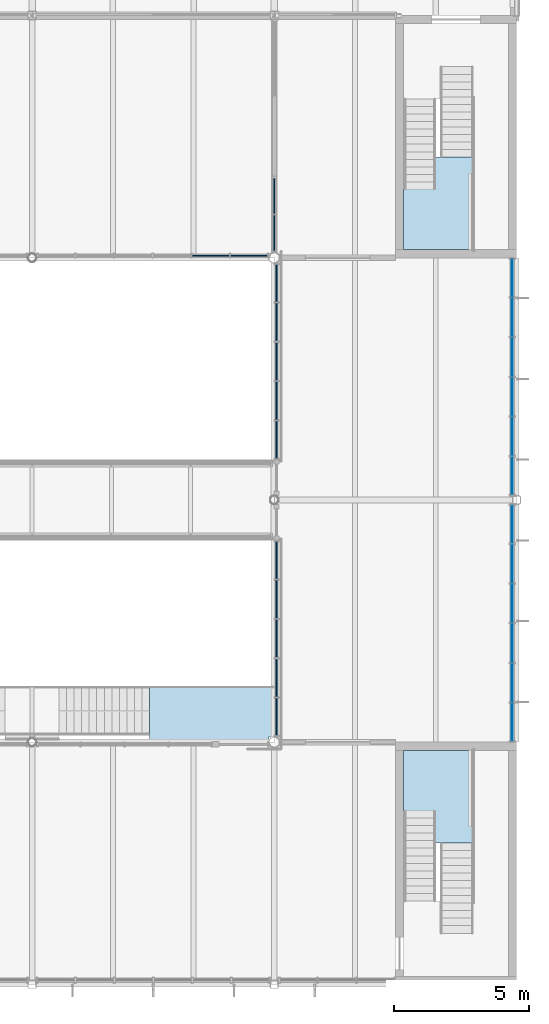
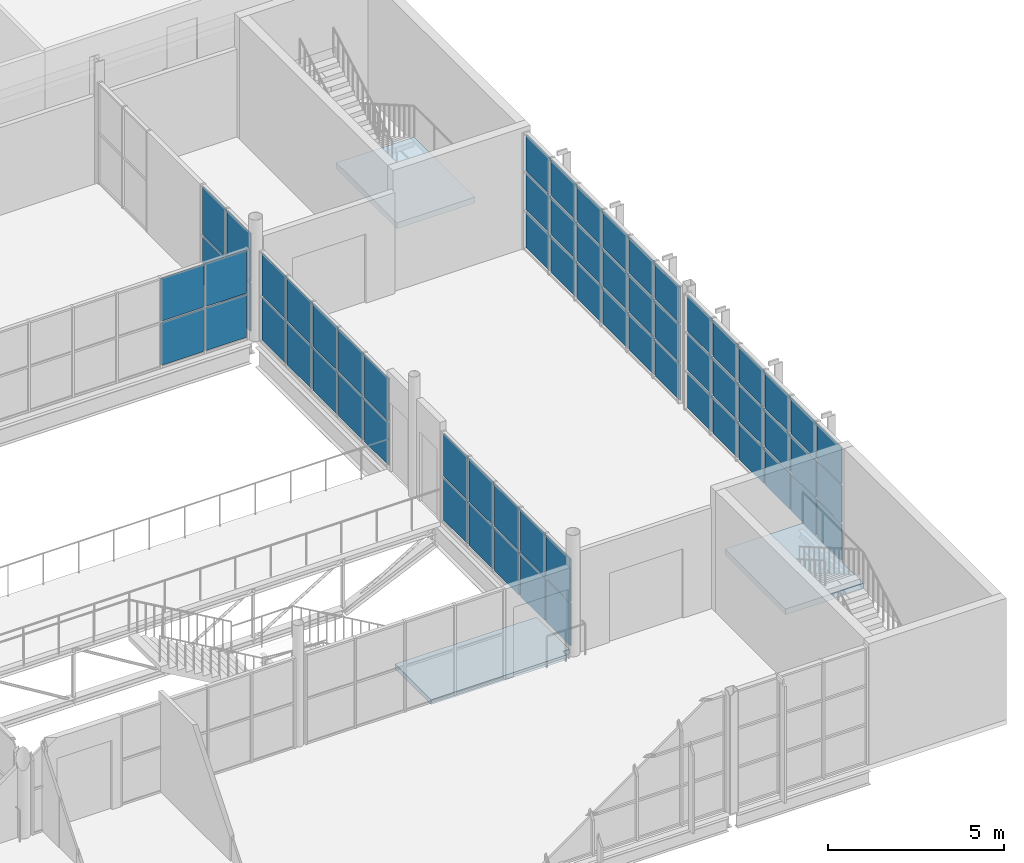
# One storey, part 39 of 61: 64 plates, 3 slabs, 8 elements without a shape of their own.
"""IFC4 building model written with IfcOpenShell, lengths in metres."""

from ifc_helpers import new_model, si_unit, direction, frame, origin, origin_2d, place, context, subcontext, project, spatial, polyline, rectangle, outline, extrude, material, layer, layer_set, type_object, element, aggregate, save


model = new_model("IFC4")

# Units and contexts
model_context = context("Model", 3, precision=1e-05, world=origin(), true_north=direction((0.0, 1.0)))
body_context = subcontext(model_context, "Body", "Model", "MODEL_VIEW")
ifc_project = project(units=[si_unit("LENGTHUNIT", "METRE"), si_unit("AREAUNIT", "SQUARE_METRE"), si_unit("VOLUMEUNIT", "CUBIC_METRE"), si_unit("PLANEANGLEUNIT", "RADIAN"), si_unit("MASSUNIT", "GRAM", prefix="KILO")], contexts=[model_context])

# Site, building, storey
site_placement = place(None, origin())
site = spatial("IfcSite", under=ifc_project, at=site_placement, CompositionType="ELEMENT")
building_placement = place(site_placement, origin())
building = spatial("IfcBuilding", under=site, at=building_placement, Name="Halyard Row Museum", CompositionType="ELEMENT")
storey_placement = place(building_placement, frame((0.0, 0.0, 9.199951171875)))
storey = spatial("IfcBuildingStorey", under=building, at=storey_placement, Name="L02", CompositionType="ELEMENT", Elevation=9.199951171875)

# Curtain wall, plates
ifc_material_1 = material(Name="Double glazed unit, low-emissivity", Category="glass")
ifc_layer_1 = layer(ifc_material_1, 0.219970703125)
ifc_layer_set_1 = layer_set([ifc_layer_1], Name="Double glazed unit, low-emissivity")
curtain_wall_type_1 = type_object("IfcCurtainWallType", Name="Curtain wall unitised 220 deep", PredefinedType="NOTDEFINED", material=ifc_layer_set_1)
curtain_wall_1_placement = place(storey_placement, origin())
curtain_wall_1 = element("IfcCurtainWall", 1, at=curtain_wall_1_placement, inside=storey, type_object=curtain_wall_type_1, Name="Curtain wall CW031", PredefinedType="NOTDEFINED")
ifc_material_2 = material(Name="Double glazed unit, low-emissivity", Category="glass")
ifc_layer_2 = layer(ifc_material_2, 0.035888671875)
ifc_layer_set_2 = layer_set([ifc_layer_2], Name="Double glazed unit, low-emissivity")
plate_type_1 = type_object("IfcPlateType", Name="Curtain wall glazed panel CP3 36", PredefinedType="CURTAIN_PANEL", material=ifc_layer_set_2)
plate_1_placement = place(storey_placement, frame((107.840087890625, 9.75244140625, 0.06005859375), z_axis=(0.0, 0.0, 1.0), x_axis=(0.0, 1.0, 0.0)))
plate_1 = element("IfcPlate", 2, at=plate_1_placement, type_object=plate_type_1, Name="CW031 panel 1.1", PredefinedType="CURTAIN_PANEL", context=body_context, shape_type="SweptSolid", body=[
    extrude(rectangle(XDim=1.385009765625, YDim=0.035888671875, at=origin_2d()), origin(), (0.0, 0.0, 1.0), 1.2548828125),
])
plate_2_placement = place(storey_placement, frame((107.840087890625, 9.75244140625, 1.375), z_axis=(0.0, 0.0, 1.0), x_axis=(0.0, 1.0, 0.0)))
plate_2 = element("IfcPlate", 3, at=plate_2_placement, type_object=plate_type_1, Name="CW031 panel 1.2", PredefinedType="CURTAIN_PANEL", context=body_context, shape_type="SweptSolid", body=[
    extrude(rectangle(XDim=1.385009765625, YDim=0.035888671875, at=origin_2d()), origin(), (0.0, 0.0, 1.0), 1.284912109375),
])
plate_3_placement = place(storey_placement, frame((107.840087890625, 9.75244140625, 2.72021484375), z_axis=(0.0, 0.0, 1.0), x_axis=(0.0, 1.0, 0.0)))
plate_3 = element("IfcPlate", 4, at=plate_3_placement, type_object=plate_type_1, Name="CW031 panel 1.3", PredefinedType="CURTAIN_PANEL", context=body_context, shape_type="SweptSolid", body=[
    extrude(rectangle(XDim=1.385009765625, YDim=0.035888671875, at=origin_2d()), origin(), (0.0, 0.0, 1.0), 1.2548828125),
])
plate_4_placement = place(storey_placement, frame((107.840087890625, 11.21240234375, 0.06005859375), z_axis=(0.0, 0.0, 1.0), x_axis=(0.0, 1.0, 0.0)))
plate_4 = element("IfcPlate", 5, at=plate_4_placement, type_object=plate_type_1, Name="CW031 panel 2.1", PredefinedType="CURTAIN_PANEL", context=body_context, shape_type="SweptSolid", body=[
    extrude(rectangle(XDim=1.4150390625, YDim=0.035888671875, at=origin_2d()), origin(), (0.0, 0.0, 1.0), 1.2548828125),
])
plate_5_placement = place(storey_placement, frame((107.840087890625, 11.21240234375, 1.375), z_axis=(0.0, 0.0, 1.0), x_axis=(0.0, 1.0, 0.0)))
plate_5 = element("IfcPlate", 6, at=plate_5_placement, type_object=plate_type_1, Name="CW031 panel 2.2", PredefinedType="CURTAIN_PANEL", context=body_context, shape_type="SweptSolid", body=[
    extrude(rectangle(XDim=1.4150390625, YDim=0.035888671875, at=origin_2d()), origin(), (0.0, 0.0, 1.0), 1.284912109375),
])
plate_6_placement = place(storey_placement, frame((107.840087890625, 11.21240234375, 2.72021484375), z_axis=(0.0, 0.0, 1.0), x_axis=(0.0, 1.0, 0.0)))
plate_6 = element("IfcPlate", 7, at=plate_6_placement, type_object=plate_type_1, Name="CW031 panel 2.3", PredefinedType="CURTAIN_PANEL", context=body_context, shape_type="SweptSolid", body=[
    extrude(rectangle(XDim=1.4150390625, YDim=0.035888671875, at=origin_2d()), origin(), (0.0, 0.0, 1.0), 1.2548828125),
])
plate_7_placement = place(storey_placement, frame((107.840087890625, 12.6875, 0.06005859375), z_axis=(0.0, 0.0, 1.0), x_axis=(0.0, 1.0, 0.0)))
plate_7 = element("IfcPlate", 8, at=plate_7_placement, type_object=plate_type_1, Name="CW031 panel 3.1", PredefinedType="CURTAIN_PANEL", context=body_context, shape_type="SweptSolid", body=[
    extrude(rectangle(XDim=1.4150390625, YDim=0.035888671875, at=origin_2d()), origin(), (0.0, 0.0, 1.0), 1.2548828125),
])
plate_8_placement = place(storey_placement, frame((107.840087890625, 12.6875, 1.375), z_axis=(0.0, 0.0, 1.0), x_axis=(0.0, 1.0, 0.0)))
plate_8 = element("IfcPlate", 9, at=plate_8_placement, type_object=plate_type_1, Name="CW031 panel 3.2", PredefinedType="CURTAIN_PANEL", context=body_context, shape_type="SweptSolid", body=[
    extrude(rectangle(XDim=1.4150390625, YDim=0.035888671875, at=origin_2d()), origin(), (0.0, 0.0, 1.0), 1.284912109375),
])
plate_9_placement = place(storey_placement, frame((107.840087890625, 12.6875, 2.72021484375), z_axis=(0.0, 0.0, 1.0), x_axis=(0.0, 1.0, 0.0)))
plate_9 = element("IfcPlate", 10, at=plate_9_placement, type_object=plate_type_1, Name="CW031 panel 3.3", PredefinedType="CURTAIN_PANEL", context=body_context, shape_type="SweptSolid", body=[
    extrude(rectangle(XDim=1.4150390625, YDim=0.035888671875, at=origin_2d()), origin(), (0.0, 0.0, 1.0), 1.2548828125),
])
plate_10_placement = place(storey_placement, frame((107.840087890625, 14.16259765625, 0.06005859375), z_axis=(0.0, 0.0, 1.0), x_axis=(0.0, 1.0, 0.0)))
plate_10 = element("IfcPlate", 11, at=plate_10_placement, type_object=plate_type_1, Name="CW031 panel 4.1", PredefinedType="CURTAIN_PANEL", context=body_context, shape_type="SweptSolid", body=[
    extrude(rectangle(XDim=1.4150390625, YDim=0.035888671875, at=origin_2d()), origin(), (0.0, 0.0, 1.0), 1.2548828125),
])
plate_11_placement = place(storey_placement, frame((107.840087890625, 14.16259765625, 1.375), z_axis=(0.0, 0.0, 1.0), x_axis=(0.0, 1.0, 0.0)))
plate_11 = element("IfcPlate", 12, at=plate_11_placement, type_object=plate_type_1, Name="CW031 panel 4.2", PredefinedType="CURTAIN_PANEL", context=body_context, shape_type="SweptSolid", body=[
    extrude(rectangle(XDim=1.4150390625, YDim=0.035888671875, at=origin_2d()), origin(), (0.0, 0.0, 1.0), 1.284912109375),
])
plate_12_placement = place(storey_placement, frame((107.840087890625, 14.16259765625, 2.72021484375), z_axis=(0.0, 0.0, 1.0), x_axis=(0.0, 1.0, 0.0)))
plate_12 = element("IfcPlate", 13, at=plate_12_placement, type_object=plate_type_1, Name="CW031 panel 4.3", PredefinedType="CURTAIN_PANEL", context=body_context, shape_type="SweptSolid", body=[
    extrude(rectangle(XDim=1.4150390625, YDim=0.035888671875, at=origin_2d()), origin(), (0.0, 0.0, 1.0), 1.2548828125),
])
plate_13_placement = place(storey_placement, frame((107.840087890625, 15.637451171875, 0.06005859375), z_axis=(0.0, 0.0, 1.0), x_axis=(0.0, 1.0, 0.0)))
plate_13 = element("IfcPlate", 14, at=plate_13_placement, type_object=plate_type_1, Name="CW031 panel 5.1", PredefinedType="CURTAIN_PANEL", context=body_context, shape_type="SweptSolid", body=[
    extrude(rectangle(XDim=1.4150390625, YDim=0.035888671875, at=origin_2d()), origin(), (0.0, 0.0, 1.0), 1.2548828125),
])
plate_14_placement = place(storey_placement, frame((107.840087890625, 15.637451171875, 1.375), z_axis=(0.0, 0.0, 1.0), x_axis=(0.0, 1.0, 0.0)))
plate_14 = element("IfcPlate", 15, at=plate_14_placement, type_object=plate_type_1, Name="CW031 panel 5.2", PredefinedType="CURTAIN_PANEL", context=body_context, shape_type="SweptSolid", body=[
    extrude(rectangle(XDim=1.4150390625, YDim=0.035888671875, at=origin_2d()), origin(), (0.0, 0.0, 1.0), 1.284912109375),
])
plate_15_placement = place(storey_placement, frame((107.840087890625, 15.637451171875, 2.72021484375), z_axis=(0.0, 0.0, 1.0), x_axis=(0.0, 1.0, 0.0)))
plate_15 = element("IfcPlate", 16, at=plate_15_placement, type_object=plate_type_1, Name="CW031 panel 5.3", PredefinedType="CURTAIN_PANEL", context=body_context, shape_type="SweptSolid", body=[
    extrude(rectangle(XDim=1.4150390625, YDim=0.035888671875, at=origin_2d()), origin(), (0.0, 0.0, 1.0), 1.2548828125),
])
plate_16_placement = place(storey_placement, frame((107.840087890625, 17.097412109375, 0.06005859375), z_axis=(0.0, 0.0, 1.0), x_axis=(0.0, 1.0, 0.0)))
plate_16 = element("IfcPlate", 17, at=plate_16_placement, type_object=plate_type_1, Name="CW031 panel 6.1", PredefinedType="CURTAIN_PANEL", context=body_context, shape_type="SweptSolid", body=[
    extrude(rectangle(XDim=1.385009765625, YDim=0.035888671875, at=origin_2d()), origin(), (0.0, 0.0, 1.0), 1.2548828125),
])
plate_17_placement = place(storey_placement, frame((107.840087890625, 17.097412109375, 1.375), z_axis=(0.0, 0.0, 1.0), x_axis=(0.0, 1.0, 0.0)))
plate_17 = element("IfcPlate", 18, at=plate_17_placement, type_object=plate_type_1, Name="CW031 panel 6.2", PredefinedType="CURTAIN_PANEL", context=body_context, shape_type="SweptSolid", body=[
    extrude(rectangle(XDim=1.385009765625, YDim=0.035888671875, at=origin_2d()), origin(), (0.0, 0.0, 1.0), 1.284912109375),
])
plate_18_placement = place(storey_placement, frame((107.840087890625, 17.097412109375, 2.72021484375), z_axis=(0.0, 0.0, 1.0), x_axis=(0.0, 1.0, 0.0)))
plate_18 = element("IfcPlate", 19, at=plate_18_placement, type_object=plate_type_1, Name="CW031 panel 6.3", PredefinedType="CURTAIN_PANEL", context=body_context, shape_type="SweptSolid", body=[
    extrude(rectangle(XDim=1.385009765625, YDim=0.035888671875, at=origin_2d()), origin(), (0.0, 0.0, 1.0), 1.2548828125),
])
aggregate(curtain_wall_1, [plate_1, plate_2, plate_3, plate_4, plate_5, plate_6, plate_7, plate_8, plate_9, plate_10, plate_11, plate_12, plate_13, plate_14, plate_15, plate_16, plate_17, plate_18])

curtain_wall_2_placement = place(storey_placement, origin())
curtain_wall_2 = element("IfcCurtainWall", 20, at=curtain_wall_2_placement, inside=storey, type_object=curtain_wall_type_1, Name="Curtain wall CW032", PredefinedType="NOTDEFINED")
plate_19_placement = place(storey_placement, frame((107.840087890625, 18.902587890625, 0.06005859375), z_axis=(0.0, 0.0, 1.0), x_axis=(0.0, 1.0, 0.0)))
plate_19 = element("IfcPlate", 21, at=plate_19_placement, type_object=plate_type_1, Name="CW032 panel 1.1", PredefinedType="CURTAIN_PANEL", context=body_context, shape_type="SweptSolid", body=[
    extrude(rectangle(XDim=1.385009765625, YDim=0.035888671875, at=origin_2d()), origin(), (0.0, 0.0, 1.0), 1.2548828125),
])
plate_20_placement = place(storey_placement, frame((107.840087890625, 18.902587890625, 1.375), z_axis=(0.0, 0.0, 1.0), x_axis=(0.0, 1.0, 0.0)))
plate_20 = element("IfcPlate", 22, at=plate_20_placement, type_object=plate_type_1, Name="CW032 panel 1.2", PredefinedType="CURTAIN_PANEL", context=body_context, shape_type="SweptSolid", body=[
    extrude(rectangle(XDim=1.385009765625, YDim=0.035888671875, at=origin_2d()), origin(), (0.0, 0.0, 1.0), 1.284912109375),
])
plate_21_placement = place(storey_placement, frame((107.840087890625, 18.902587890625, 2.72021484375), z_axis=(0.0, 0.0, 1.0), x_axis=(0.0, 1.0, 0.0)))
plate_21 = element("IfcPlate", 23, at=plate_21_placement, type_object=plate_type_1, Name="CW032 panel 1.3", PredefinedType="CURTAIN_PANEL", context=body_context, shape_type="SweptSolid", body=[
    extrude(rectangle(XDim=1.385009765625, YDim=0.035888671875, at=origin_2d()), origin(), (0.0, 0.0, 1.0), 1.2548828125),
])
plate_22_placement = place(storey_placement, frame((107.840087890625, 20.362548828125, 0.06005859375), z_axis=(0.0, 0.0, 1.0), x_axis=(0.0, 1.0, 0.0)))
plate_22 = element("IfcPlate", 24, at=plate_22_placement, type_object=plate_type_1, Name="CW032 panel 2.1", PredefinedType="CURTAIN_PANEL", context=body_context, shape_type="SweptSolid", body=[
    extrude(rectangle(XDim=1.4150390625, YDim=0.035888671875, at=origin_2d()), origin(), (0.0, 0.0, 1.0), 1.2548828125),
])
plate_23_placement = place(storey_placement, frame((107.840087890625, 20.362548828125, 1.375), z_axis=(0.0, 0.0, 1.0), x_axis=(0.0, 1.0, 0.0)))
plate_23 = element("IfcPlate", 25, at=plate_23_placement, type_object=plate_type_1, Name="CW032 panel 2.2", PredefinedType="CURTAIN_PANEL", context=body_context, shape_type="SweptSolid", body=[
    extrude(rectangle(XDim=1.4150390625, YDim=0.035888671875, at=origin_2d()), origin(), (0.0, 0.0, 1.0), 1.284912109375),
])
plate_24_placement = place(storey_placement, frame((107.840087890625, 20.362548828125, 2.72021484375), z_axis=(0.0, 0.0, 1.0), x_axis=(0.0, 1.0, 0.0)))
plate_24 = element("IfcPlate", 26, at=plate_24_placement, type_object=plate_type_1, Name="CW032 panel 2.3", PredefinedType="CURTAIN_PANEL", context=body_context, shape_type="SweptSolid", body=[
    extrude(rectangle(XDim=1.4150390625, YDim=0.035888671875, at=origin_2d()), origin(), (0.0, 0.0, 1.0), 1.2548828125),
])
plate_25_placement = place(storey_placement, frame((107.840087890625, 21.83740234375, 0.06005859375), z_axis=(0.0, 0.0, 1.0), x_axis=(0.0, 1.0, 0.0)))
plate_25 = element("IfcPlate", 27, at=plate_25_placement, type_object=plate_type_1, Name="CW032 panel 3.1", PredefinedType="CURTAIN_PANEL", context=body_context, shape_type="SweptSolid", body=[
    extrude(rectangle(XDim=1.4150390625, YDim=0.035888671875, at=origin_2d()), origin(), (0.0, 0.0, 1.0), 1.2548828125),
])
plate_26_placement = place(storey_placement, frame((107.840087890625, 21.83740234375, 1.375), z_axis=(0.0, 0.0, 1.0), x_axis=(0.0, 1.0, 0.0)))
plate_26 = element("IfcPlate", 28, at=plate_26_placement, type_object=plate_type_1, Name="CW032 panel 3.2", PredefinedType="CURTAIN_PANEL", context=body_context, shape_type="SweptSolid", body=[
    extrude(rectangle(XDim=1.4150390625, YDim=0.035888671875, at=origin_2d()), origin(), (0.0, 0.0, 1.0), 1.284912109375),
])
plate_27_placement = place(storey_placement, frame((107.840087890625, 21.83740234375, 2.72021484375), z_axis=(0.0, 0.0, 1.0), x_axis=(0.0, 1.0, 0.0)))
plate_27 = element("IfcPlate", 29, at=plate_27_placement, type_object=plate_type_1, Name="CW032 panel 3.3", PredefinedType="CURTAIN_PANEL", context=body_context, shape_type="SweptSolid", body=[
    extrude(rectangle(XDim=1.4150390625, YDim=0.035888671875, at=origin_2d()), origin(), (0.0, 0.0, 1.0), 1.2548828125),
])
plate_28_placement = place(storey_placement, frame((107.840087890625, 23.3125, 0.06005859375), z_axis=(0.0, 0.0, 1.0), x_axis=(0.0, 1.0, 0.0)))
plate_28 = element("IfcPlate", 30, at=plate_28_placement, type_object=plate_type_1, Name="CW032 panel 4.1", PredefinedType="CURTAIN_PANEL", context=body_context, shape_type="SweptSolid", body=[
    extrude(rectangle(XDim=1.4150390625, YDim=0.035888671875, at=origin_2d()), origin(), (0.0, 0.0, 1.0), 1.2548828125),
])
plate_29_placement = place(storey_placement, frame((107.840087890625, 23.3125, 1.375), z_axis=(0.0, 0.0, 1.0), x_axis=(0.0, 1.0, 0.0)))
plate_29 = element("IfcPlate", 31, at=plate_29_placement, type_object=plate_type_1, Name="CW032 panel 4.2", PredefinedType="CURTAIN_PANEL", context=body_context, shape_type="SweptSolid", body=[
    extrude(rectangle(XDim=1.4150390625, YDim=0.035888671875, at=origin_2d()), origin(), (0.0, 0.0, 1.0), 1.284912109375),
])
plate_30_placement = place(storey_placement, frame((107.840087890625, 23.3125, 2.72021484375), z_axis=(0.0, 0.0, 1.0), x_axis=(0.0, 1.0, 0.0)))
plate_30 = element("IfcPlate", 32, at=plate_30_placement, type_object=plate_type_1, Name="CW032 panel 4.3", PredefinedType="CURTAIN_PANEL", context=body_context, shape_type="SweptSolid", body=[
    extrude(rectangle(XDim=1.4150390625, YDim=0.035888671875, at=origin_2d()), origin(), (0.0, 0.0, 1.0), 1.2548828125),
])
plate_31_placement = place(storey_placement, frame((107.840087890625, 24.78759765625, 0.06005859375), z_axis=(0.0, 0.0, 1.0), x_axis=(0.0, 1.0, 0.0)))
plate_31 = element("IfcPlate", 33, at=plate_31_placement, type_object=plate_type_1, Name="CW032 panel 5.1", PredefinedType="CURTAIN_PANEL", context=body_context, shape_type="SweptSolid", body=[
    extrude(rectangle(XDim=1.4150390625, YDim=0.035888671875, at=origin_2d()), origin(), (0.0, 0.0, 1.0), 1.2548828125),
])
plate_32_placement = place(storey_placement, frame((107.840087890625, 24.78759765625, 1.375), z_axis=(0.0, 0.0, 1.0), x_axis=(0.0, 1.0, 0.0)))
plate_32 = element("IfcPlate", 34, at=plate_32_placement, type_object=plate_type_1, Name="CW032 panel 5.2", PredefinedType="CURTAIN_PANEL", context=body_context, shape_type="SweptSolid", body=[
    extrude(rectangle(XDim=1.4150390625, YDim=0.035888671875, at=origin_2d()), origin(), (0.0, 0.0, 1.0), 1.284912109375),
])
plate_33_placement = place(storey_placement, frame((107.840087890625, 24.78759765625, 2.72021484375), z_axis=(0.0, 0.0, 1.0), x_axis=(0.0, 1.0, 0.0)))
plate_33 = element("IfcPlate", 35, at=plate_33_placement, type_object=plate_type_1, Name="CW032 panel 5.3", PredefinedType="CURTAIN_PANEL", context=body_context, shape_type="SweptSolid", body=[
    extrude(rectangle(XDim=1.4150390625, YDim=0.035888671875, at=origin_2d()), origin(), (0.0, 0.0, 1.0), 1.2548828125),
])
plate_34_placement = place(storey_placement, frame((107.840087890625, 26.24755859375, 0.06005859375), z_axis=(0.0, 0.0, 1.0), x_axis=(0.0, 1.0, 0.0)))
plate_34 = element("IfcPlate", 36, at=plate_34_placement, type_object=plate_type_1, Name="CW032 panel 6.1", PredefinedType="CURTAIN_PANEL", context=body_context, shape_type="SweptSolid", body=[
    extrude(rectangle(XDim=1.385009765625, YDim=0.035888671875, at=origin_2d()), origin(), (0.0, 0.0, 1.0), 1.2548828125),
])
plate_35_placement = place(storey_placement, frame((107.840087890625, 26.24755859375, 1.375), z_axis=(0.0, 0.0, 1.0), x_axis=(0.0, 1.0, 0.0)))
plate_35 = element("IfcPlate", 37, at=plate_35_placement, type_object=plate_type_1, Name="CW032 panel 6.2", PredefinedType="CURTAIN_PANEL", context=body_context, shape_type="SweptSolid", body=[
    extrude(rectangle(XDim=1.385009765625, YDim=0.035888671875, at=origin_2d()), origin(), (0.0, 0.0, 1.0), 1.284912109375),
])
plate_36_placement = place(storey_placement, frame((107.840087890625, 26.24755859375, 2.72021484375), z_axis=(0.0, 0.0, 1.0), x_axis=(0.0, 1.0, 0.0)))
plate_36 = element("IfcPlate", 38, at=plate_36_placement, type_object=plate_type_1, Name="CW032 panel 6.3", PredefinedType="CURTAIN_PANEL", context=body_context, shape_type="SweptSolid", body=[
    extrude(rectangle(XDim=1.385009765625, YDim=0.035888671875, at=origin_2d()), origin(), (0.0, 0.0, 1.0), 1.2548828125),
])
aggregate(curtain_wall_2, [plate_19, plate_20, plate_21, plate_22, plate_23, plate_24, plate_25, plate_26, plate_27, plate_28, plate_29, plate_30, plate_31, plate_32, plate_33, plate_34, plate_35, plate_36])

ifc_material_3 = material(Name="Fire-resisting laminated glazing", Category="glass")
ifc_layer_3 = layer(ifc_material_3, 0.159912109375)
ifc_layer_set_3 = layer_set([ifc_layer_3], Name="Fire-resisting laminated glazing")
curtain_wall_type_2 = type_object("IfcCurtainWallType", Name="Curtain wall atrium screen 160 deep", PredefinedType="NOTDEFINED", material=ifc_layer_set_3)
curtain_wall_3_placement = place(storey_placement, origin())
curtain_wall_3 = element("IfcCurtainWall", 39, at=curtain_wall_3_placement, inside=storey, type_object=curtain_wall_type_2, Name="Curtain wall CW087", PredefinedType="NOTDEFINED")
ifc_material_4 = material(Name="Fire-resisting laminated glazing", Category="glass")
ifc_layer_4 = layer(ifc_material_4, 0.0400390625)
ifc_layer_set_4 = layer_set([ifc_layer_4], Name="Fire-resisting laminated glazing")
plate_type_2 = type_object("IfcPlateType", Name="Curtain wall glazed panel CP5 40", PredefinedType="CURTAIN_PANEL", material=ifc_layer_set_4)
plate_37_placement = place(storey_placement, frame((99.080078125, 9.947998046875, 0.06005859375), z_axis=(0.0, 0.0, 1.0), x_axis=(0.0, 1.0, 0.0)))
plate_37 = element("IfcPlate", 40, at=plate_37_placement, type_object=plate_type_2, Name="CW087 panel 1.1", PredefinedType="CURTAIN_PANEL", context=body_context, shape_type="SweptSolid", body=[
    extrude(rectangle(XDim=1.369384765625, YDim=0.0400390625, at=origin_2d()), origin(), (0.0, 0.0, 1.0), 1.47216796875),
])
plate_38_placement = place(storey_placement, frame((99.080078125, 9.947998046875, 1.59228515625), z_axis=(0.0, 0.0, 1.0), x_axis=(0.0, 1.0, 0.0)))
plate_38 = element("IfcPlate", 41, at=plate_38_placement, type_object=plate_type_2, Name="CW087 panel 1.2", PredefinedType="CURTAIN_PANEL", context=body_context, shape_type="SweptSolid", body=[
    extrude(rectangle(XDim=1.369384765625, YDim=0.0400390625, at=origin_2d()), origin(), (0.0, 0.0, 1.0), 1.47216796875),
])
plate_39_placement = place(storey_placement, frame((99.080078125, 11.392333984375, 0.06005859375), z_axis=(0.0, 0.0, 1.0), x_axis=(0.0, 1.0, 0.0)))
plate_39 = element("IfcPlate", 42, at=plate_39_placement, type_object=plate_type_2, Name="CW087 panel 2.1", PredefinedType="CURTAIN_PANEL", context=body_context, shape_type="SweptSolid", body=[
    extrude(rectangle(XDim=1.3994140625, YDim=0.0400390625, at=origin_2d()), origin(), (0.0, 0.0, 1.0), 1.47216796875),
])
plate_40_placement = place(storey_placement, frame((99.080078125, 11.392333984375, 1.59228515625), z_axis=(0.0, 0.0, 1.0), x_axis=(0.0, 1.0, 0.0)))
plate_40 = element("IfcPlate", 43, at=plate_40_placement, type_object=plate_type_2, Name="CW087 panel 2.2", PredefinedType="CURTAIN_PANEL", context=body_context, shape_type="SweptSolid", body=[
    extrude(rectangle(XDim=1.3994140625, YDim=0.0400390625, at=origin_2d()), origin(), (0.0, 0.0, 1.0), 1.47216796875),
])
plate_41_placement = place(storey_placement, frame((99.080078125, 12.8515625, 0.06005859375), z_axis=(0.0, 0.0, 1.0), x_axis=(0.0, 1.0, 0.0)))
plate_41 = element("IfcPlate", 44, at=plate_41_placement, type_object=plate_type_2, Name="CW087 panel 3.1", PredefinedType="CURTAIN_PANEL", context=body_context, shape_type="SweptSolid", body=[
    extrude(rectangle(XDim=1.3994140625, YDim=0.0400390625, at=origin_2d()), origin(), (0.0, 0.0, 1.0), 1.47216796875),
])
plate_42_placement = place(storey_placement, frame((99.080078125, 12.8515625, 1.59228515625), z_axis=(0.0, 0.0, 1.0), x_axis=(0.0, 1.0, 0.0)))
plate_42 = element("IfcPlate", 45, at=plate_42_placement, type_object=plate_type_2, Name="CW087 panel 3.2", PredefinedType="CURTAIN_PANEL", context=body_context, shape_type="SweptSolid", body=[
    extrude(rectangle(XDim=1.3994140625, YDim=0.0400390625, at=origin_2d()), origin(), (0.0, 0.0, 1.0), 1.47216796875),
])
plate_43_placement = place(storey_placement, frame((99.080078125, 14.31103515625, 0.06005859375), z_axis=(0.0, 0.0, 1.0), x_axis=(0.0, 1.0, 0.0)))
plate_43 = element("IfcPlate", 46, at=plate_43_placement, type_object=plate_type_2, Name="CW087 panel 4.1", PredefinedType="CURTAIN_PANEL", context=body_context, shape_type="SweptSolid", body=[
    extrude(rectangle(XDim=1.3994140625, YDim=0.0400390625, at=origin_2d()), origin(), (0.0, 0.0, 1.0), 1.47216796875),
])
plate_44_placement = place(storey_placement, frame((99.080078125, 14.31103515625, 1.59228515625), z_axis=(0.0, 0.0, 1.0), x_axis=(0.0, 1.0, 0.0)))
plate_44 = element("IfcPlate", 47, at=plate_44_placement, type_object=plate_type_2, Name="CW087 panel 4.2", PredefinedType="CURTAIN_PANEL", context=body_context, shape_type="SweptSolid", body=[
    extrude(rectangle(XDim=1.3994140625, YDim=0.0400390625, at=origin_2d()), origin(), (0.0, 0.0, 1.0), 1.47216796875),
])
plate_45_placement = place(storey_placement, frame((99.080078125, 15.75537109375, 0.06005859375), z_axis=(0.0, 0.0, 1.0), x_axis=(0.0, 1.0, 0.0)))
plate_45 = element("IfcPlate", 48, at=plate_45_placement, type_object=plate_type_2, Name="CW087 panel 5.1", PredefinedType="CURTAIN_PANEL", context=body_context, shape_type="SweptSolid", body=[
    extrude(rectangle(XDim=1.369384765625, YDim=0.0400390625, at=origin_2d()), origin(), (0.0, 0.0, 1.0), 1.47216796875),
])
plate_46_placement = place(storey_placement, frame((99.080078125, 15.75537109375, 1.59228515625), z_axis=(0.0, 0.0, 1.0), x_axis=(0.0, 1.0, 0.0)))
plate_46 = element("IfcPlate", 49, at=plate_46_placement, type_object=plate_type_2, Name="CW087 panel 5.2", PredefinedType="CURTAIN_PANEL", context=body_context, shape_type="SweptSolid", body=[
    extrude(rectangle(XDim=1.369384765625, YDim=0.0400390625, at=origin_2d()), origin(), (0.0, 0.0, 1.0), 1.47216796875),
])
aggregate(curtain_wall_3, [plate_37, plate_38, plate_39, plate_40, plate_41, plate_42, plate_43, plate_44, plate_45, plate_46])

curtain_wall_4_placement = place(storey_placement, origin())
curtain_wall_4 = element("IfcCurtainWall", 50, at=curtain_wall_4_placement, inside=storey, type_object=curtain_wall_type_2, Name="Curtain wall CW088", PredefinedType="NOTDEFINED")
plate_47_placement = place(storey_placement, frame((99.080078125, 20.24462890625, 0.06005859375), z_axis=(0.0, 0.0, 1.0), x_axis=(0.0, 1.0, 0.0)))
plate_47 = element("IfcPlate", 51, at=plate_47_placement, type_object=plate_type_2, Name="CW088 panel 1.1", PredefinedType="CURTAIN_PANEL", context=body_context, shape_type="SweptSolid", body=[
    extrude(rectangle(XDim=1.369384765625, YDim=0.0400390625, at=origin_2d()), origin(), (0.0, 0.0, 1.0), 1.47216796875),
])
plate_48_placement = place(storey_placement, frame((99.080078125, 20.24462890625, 1.59228515625), z_axis=(0.0, 0.0, 1.0), x_axis=(0.0, 1.0, 0.0)))
plate_48 = element("IfcPlate", 52, at=plate_48_placement, type_object=plate_type_2, Name="CW088 panel 1.2", PredefinedType="CURTAIN_PANEL", context=body_context, shape_type="SweptSolid", body=[
    extrude(rectangle(XDim=1.369384765625, YDim=0.0400390625, at=origin_2d()), origin(), (0.0, 0.0, 1.0), 1.47216796875),
])
plate_49_placement = place(storey_placement, frame((99.080078125, 21.68896484375, 0.06005859375), z_axis=(0.0, 0.0, 1.0), x_axis=(0.0, 1.0, 0.0)))
plate_49 = element("IfcPlate", 53, at=plate_49_placement, type_object=plate_type_2, Name="CW088 panel 2.1", PredefinedType="CURTAIN_PANEL", context=body_context, shape_type="SweptSolid", body=[
    extrude(rectangle(XDim=1.3994140625, YDim=0.0400390625, at=origin_2d()), origin(), (0.0, 0.0, 1.0), 1.47216796875),
])
plate_50_placement = place(storey_placement, frame((99.080078125, 21.68896484375, 1.59228515625), z_axis=(0.0, 0.0, 1.0), x_axis=(0.0, 1.0, 0.0)))
plate_50 = element("IfcPlate", 54, at=plate_50_placement, type_object=plate_type_2, Name="CW088 panel 2.2", PredefinedType="CURTAIN_PANEL", context=body_context, shape_type="SweptSolid", body=[
    extrude(rectangle(XDim=1.3994140625, YDim=0.0400390625, at=origin_2d()), origin(), (0.0, 0.0, 1.0), 1.47216796875),
])
plate_51_placement = place(storey_placement, frame((99.080078125, 23.1484375, 0.06005859375), z_axis=(0.0, 0.0, 1.0), x_axis=(0.0, 1.0, 0.0)))
plate_51 = element("IfcPlate", 55, at=plate_51_placement, type_object=plate_type_2, Name="CW088 panel 3.1", PredefinedType="CURTAIN_PANEL", context=body_context, shape_type="SweptSolid", body=[
    extrude(rectangle(XDim=1.3994140625, YDim=0.0400390625, at=origin_2d()), origin(), (0.0, 0.0, 1.0), 1.47216796875),
])
plate_52_placement = place(storey_placement, frame((99.080078125, 23.1484375, 1.59228515625), z_axis=(0.0, 0.0, 1.0), x_axis=(0.0, 1.0, 0.0)))
plate_52 = element("IfcPlate", 56, at=plate_52_placement, type_object=plate_type_2, Name="CW088 panel 3.2", PredefinedType="CURTAIN_PANEL", context=body_context, shape_type="SweptSolid", body=[
    extrude(rectangle(XDim=1.3994140625, YDim=0.0400390625, at=origin_2d()), origin(), (0.0, 0.0, 1.0), 1.47216796875),
])
plate_53_placement = place(storey_placement, frame((99.080078125, 24.607666015625, 0.06005859375), z_axis=(0.0, 0.0, 1.0), x_axis=(0.0, 1.0, 0.0)))
plate_53 = element("IfcPlate", 57, at=plate_53_placement, type_object=plate_type_2, Name="CW088 panel 4.1", PredefinedType="CURTAIN_PANEL", context=body_context, shape_type="SweptSolid", body=[
    extrude(rectangle(XDim=1.3994140625, YDim=0.0400390625, at=origin_2d()), origin(), (0.0, 0.0, 1.0), 1.47216796875),
])
plate_54_placement = place(storey_placement, frame((99.080078125, 24.607666015625, 1.59228515625), z_axis=(0.0, 0.0, 1.0), x_axis=(0.0, 1.0, 0.0)))
plate_54 = element("IfcPlate", 58, at=plate_54_placement, type_object=plate_type_2, Name="CW088 panel 4.2", PredefinedType="CURTAIN_PANEL", context=body_context, shape_type="SweptSolid", body=[
    extrude(rectangle(XDim=1.3994140625, YDim=0.0400390625, at=origin_2d()), origin(), (0.0, 0.0, 1.0), 1.47216796875),
])
plate_55_placement = place(storey_placement, frame((99.080078125, 26.052001953125, 0.06005859375), z_axis=(0.0, 0.0, 1.0), x_axis=(0.0, 1.0, 0.0)))
plate_55 = element("IfcPlate", 59, at=plate_55_placement, type_object=plate_type_2, Name="CW088 panel 5.1", PredefinedType="CURTAIN_PANEL", context=body_context, shape_type="SweptSolid", body=[
    extrude(rectangle(XDim=1.369384765625, YDim=0.0400390625, at=origin_2d()), origin(), (0.0, 0.0, 1.0), 1.47216796875),
])
plate_56_placement = place(storey_placement, frame((99.080078125, 26.052001953125, 1.59228515625), z_axis=(0.0, 0.0, 1.0), x_axis=(0.0, 1.0, 0.0)))
plate_56 = element("IfcPlate", 60, at=plate_56_placement, type_object=plate_type_2, Name="CW088 panel 5.2", PredefinedType="CURTAIN_PANEL", context=body_context, shape_type="SweptSolid", body=[
    extrude(rectangle(XDim=1.369384765625, YDim=0.0400390625, at=origin_2d()), origin(), (0.0, 0.0, 1.0), 1.47216796875),
])
aggregate(curtain_wall_4, [plate_47, plate_48, plate_49, plate_50, plate_51, plate_52, plate_53, plate_54, plate_55, plate_56])

curtain_wall_5_placement = place(storey_placement, origin())
curtain_wall_5 = element("IfcCurtainWall", 61, at=curtain_wall_5_placement, inside=storey, type_object=curtain_wall_type_2, Name="Curtain wall CW089", PredefinedType="NOTDEFINED")
plate_57_placement = place(storey_placement, frame((98.062255859375, 27.080078125, 0.06005859375), z_axis=(0.0, 0.0, 1.0), x_axis=(-1.0, 0.0, 0.0)))
plate_57 = element("IfcPlate", 62, at=plate_57_placement, type_object=plate_type_2, Name="CW089 panel 1.1", PredefinedType="CURTAIN_PANEL", context=body_context, shape_type="SweptSolid", body=[
    extrude(rectangle(XDim=1.34912109375, YDim=0.0400390625, at=origin_2d()), origin(), (0.0, 0.0, 1.0), 1.47216796875),
])
plate_58_placement = place(storey_placement, frame((98.062255859375, 27.080078125, 1.59228515625), z_axis=(0.0, 0.0, 1.0), x_axis=(-1.0, 0.0, 0.0)))
plate_58 = element("IfcPlate", 63, at=plate_58_placement, type_object=plate_type_2, Name="CW089 panel 1.2", PredefinedType="CURTAIN_PANEL", context=body_context, shape_type="SweptSolid", body=[
    extrude(rectangle(XDim=1.34912109375, YDim=0.0400390625, at=origin_2d()), origin(), (0.0, 0.0, 1.0), 1.47216796875),
])
plate_59_placement = place(storey_placement, frame((96.63818359375, 27.080078125, 0.06005859375), z_axis=(0.0, 0.0, 1.0), x_axis=(-1.0, 0.0, 0.0)))
plate_59 = element("IfcPlate", 64, at=plate_59_placement, type_object=plate_type_2, Name="CW089 panel 2.1", PredefinedType="CURTAIN_PANEL", context=body_context, shape_type="SweptSolid", body=[
    extrude(rectangle(XDim=1.379150390625, YDim=0.0400390625, at=origin_2d()), origin(), (0.0, 0.0, 1.0), 1.47216796875),
])
plate_60_placement = place(storey_placement, frame((96.63818359375, 27.080078125, 1.59228515625), z_axis=(0.0, 0.0, 1.0), x_axis=(-1.0, 0.0, 0.0)))
plate_60 = element("IfcPlate", 65, at=plate_60_placement, type_object=plate_type_2, Name="CW089 panel 2.2", PredefinedType="CURTAIN_PANEL", context=body_context, shape_type="SweptSolid", body=[
    extrude(rectangle(XDim=1.379150390625, YDim=0.0400390625, at=origin_2d()), origin(), (0.0, 0.0, 1.0), 1.47216796875),
])
aggregate(curtain_wall_5, [plate_57, plate_58, plate_59, plate_60])

curtain_wall_6_placement = place(storey_placement, origin())
curtain_wall_6 = element("IfcCurtainWall", 66, at=curtain_wall_6_placement, inside=storey, type_object=curtain_wall_type_2, Name="Curtain wall CW174", PredefinedType="NOTDEFINED")
plate_61_placement = place(storey_placement, frame((99.0, 27.9228515625, 0.06005859375), z_axis=(0.0, 0.0, 1.0), x_axis=(0.0, 1.0, 0.0)))
plate_61 = element("IfcPlate", 67, at=plate_61_placement, type_object=plate_type_2, Name="CW174 panel 1.1", PredefinedType="CURTAIN_PANEL", context=body_context, shape_type="SweptSolid", body=[
    extrude(rectangle(XDim=1.319091796875, YDim=0.0400390625, at=origin_2d()), origin(), (0.0, 0.0, 1.0), 1.660888671875),
])
plate_62_placement = place(storey_placement, frame((99.0, 27.9228515625, 1.78125), z_axis=(0.0, 0.0, 1.0), x_axis=(0.0, 1.0, 0.0)))
plate_62 = element("IfcPlate", 68, at=plate_62_placement, type_object=plate_type_2, Name="CW174 panel 1.2", PredefinedType="CURTAIN_PANEL", context=body_context, shape_type="SweptSolid", body=[
    extrude(rectangle(XDim=1.319091796875, YDim=0.0400390625, at=origin_2d()), origin(), (0.0, 0.0, 1.0), 1.660888671875),
])
plate_63_placement = place(storey_placement, frame((99.0, 29.302001953125, 0.06005859375), z_axis=(0.0, 0.0, 1.0), x_axis=(0.0, 1.0, 0.0)))
plate_63 = element("IfcPlate", 69, at=plate_63_placement, type_object=plate_type_2, Name="CW174 panel 2.1", PredefinedType="CURTAIN_PANEL", context=body_context, shape_type="SweptSolid", body=[
    extrude(rectangle(XDim=1.319091796875, YDim=0.0400390625, at=origin_2d()), origin(), (0.0, 0.0, 1.0), 1.660888671875),
])
plate_64_placement = place(storey_placement, frame((99.0, 29.302001953125, 1.78125), z_axis=(0.0, 0.0, 1.0), x_axis=(0.0, 1.0, 0.0)))
plate_64 = element("IfcPlate", 70, at=plate_64_placement, type_object=plate_type_2, Name="CW174 panel 2.2", PredefinedType="CURTAIN_PANEL", context=body_context, shape_type="SweptSolid", body=[
    extrude(rectangle(XDim=1.319091796875, YDim=0.0400390625, at=origin_2d()), origin(), (0.0, 0.0, 1.0), 1.660888671875),
])
aggregate(curtain_wall_6, [plate_61, plate_62, plate_63, plate_64])

# Stair, slab
ifc_material_5 = material(Name="Concrete 40 MPa", Category="concrete")
stair_type = type_object("IfcStairType", Name="Exit stair two flights 1200", PredefinedType="HALF_TURN_STAIR", material=ifc_material_5)
stair_1_placement = place(storey_placement, origin())
stair_1 = element("IfcStair", 71, at=stair_1_placement, inside=storey, type_object=stair_type, Name="Exit stair K2B L02", PredefinedType="HALF_TURN_STAIR")
ifc_material_6 = material(Name="Concrete 40 MPa", Category="concrete")
ifc_layer_5 = layer(ifc_material_6, 0.199951171875)
ifc_layer_set_5 = layer_set([ifc_layer_5], Name="Concrete 40 MPa")
slab_type_1 = type_object("IfcSlabType", Name="Exit stair landing 200", PredefinedType="LANDING", material=ifc_layer_set_5)
slab_1_placement = place(storey_placement, frame((0.0, 0.0, 1.900146484375)))
slab_1 = element("IfcSlab", 72, at=slab_1_placement, type_object=slab_type_1, Name="STK2B-L02 landing 1", PredefinedType="LANDING", context=body_context, shape_type="SweptSolid", body=[
    extrude(outline(polyline([(106.35009765625, 5.260009765625), (103.800048828125, 5.260009765625), (103.800048828125, 8.699951171875), (106.35009765625, 8.699951171875), (106.35009765625, 5.260009765625)])), origin(), (0.0, 0.0, 1.0), 0.199951171875),
])
aggregate(stair_1, [slab_1])

stair_2_placement = place(storey_placement, origin())
stair_2 = element("IfcStair", 73, at=stair_2_placement, inside=storey, type_object=stair_type, Name="Exit stair K2C L02", PredefinedType="HALF_TURN_STAIR")
slab_2_placement = place(storey_placement, frame((0.0, 0.0, 1.900146484375)))
slab_2 = element("IfcSlab", 74, at=slab_2_placement, type_object=slab_type_1, Name="STK2C-L02 landing 1", PredefinedType="LANDING", context=body_context, shape_type="SweptSolid", body=[
    extrude(outline(polyline([(106.35009765625, 30.739990234375), (103.800048828125, 30.739990234375), (103.800048828125, 27.300048828125), (106.35009765625, 27.300048828125), (106.35009765625, 30.739990234375)])), origin(), (0.0, 0.0, 1.0), 0.199951171875),
])
aggregate(stair_2, [slab_2])

# Slab
ifc_material_7 = material(Name="Concrete 40 MPa", Category="concrete")
ifc_layer_6 = layer(ifc_material_7, 0.1650390625)
ifc_layer_set_6 = layer_set([ifc_layer_6], Name="Concrete 40 MPa")
slab_type_2 = type_object("IfcSlabType", Name="Stair apron slab", PredefinedType="FLOOR", material=ifc_layer_set_6)
slab_3_placement = place(storey_placement, frame((0.0, 0.0, -0.1650390625)))
element("IfcSlab", 75, at=slab_3_placement, inside=storey, type_object=slab_type_2, Name="Stair apron L02 2", PredefinedType="FLOOR", context=body_context, shape_type="SweptSolid", body=[
    extrude(outline(polyline([(94.35693359375, 9.0), (94.35693359375, 11.050048828125), (99.0, 11.050048828125), (99.0, 9.203125), (98.796875, 9.203125), (98.796875, 9.0), (94.35693359375, 9.0)])), origin(), (0.0, 0.0, 1.0), 0.1650390625),
])

save(model, "model.ifc")
